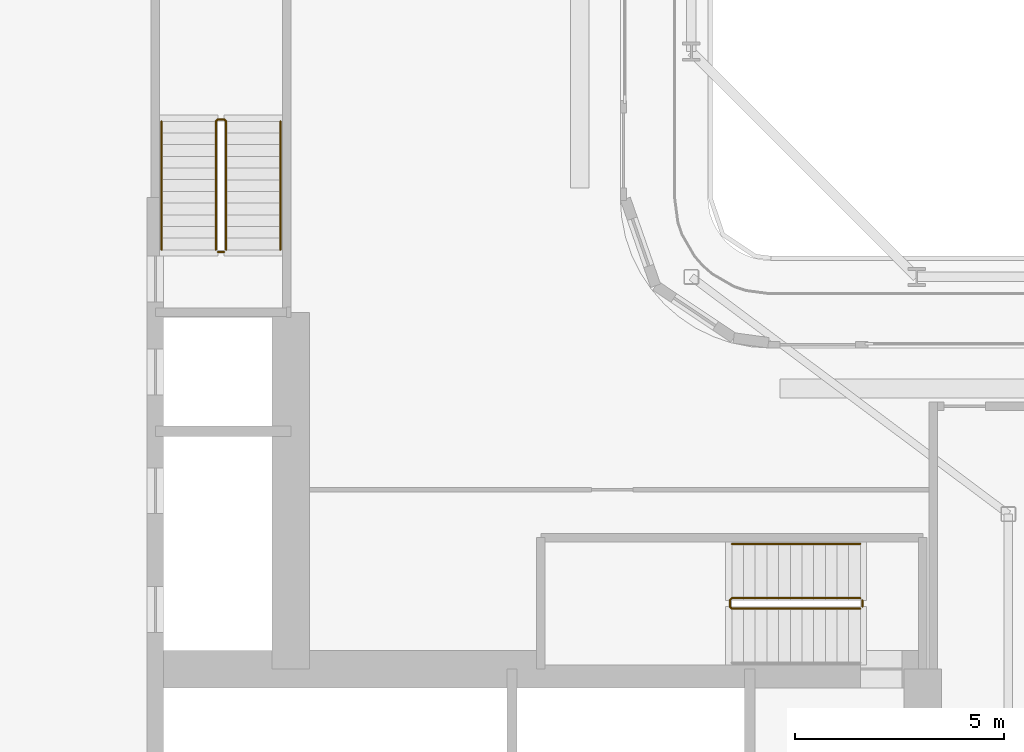
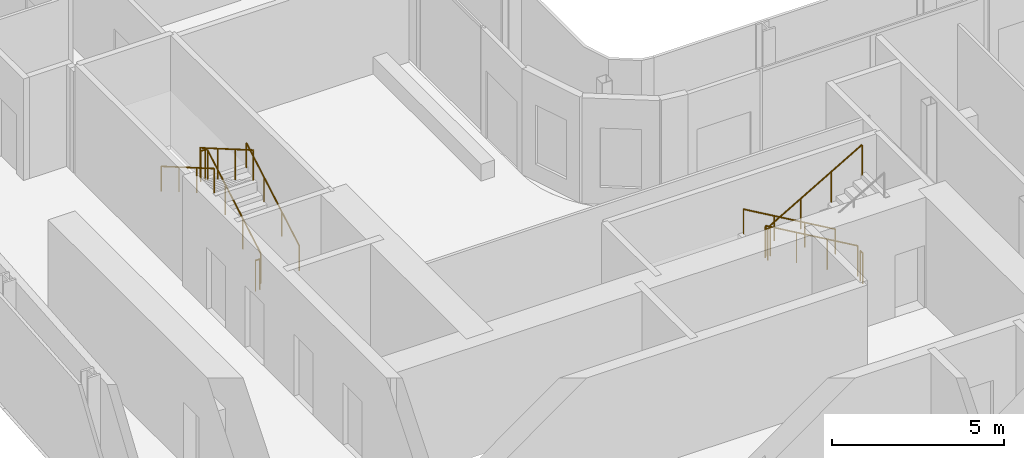
# One storey, part 22 of 27: 7 railings.
"""IFC4 building model written with IfcOpenShell, lengths in metres."""

from ifc_helpers import new_model, si_unit, direction, frame, origin, origin_2d, place, context, subcontext, project, spatial, circle, extrude, material, type_object, element, save


model = new_model("IFC4")

# Units and contexts
model_context = context("Model", 3, precision=1e-05, world=origin(), true_north=direction((0.0, 1.0)))
body_context = subcontext(model_context, "Body", "Model", "MODEL_VIEW")
ifc_project = project(units=[si_unit("LENGTHUNIT", "METRE"), si_unit("AREAUNIT", "SQUARE_METRE"), si_unit("VOLUMEUNIT", "CUBIC_METRE"), si_unit("PLANEANGLEUNIT", "RADIAN"), si_unit("MASSUNIT", "GRAM", prefix="KILO")], contexts=[model_context])

# Site, building, storey
site_placement = place(None, origin())
site = spatial("IfcSite", under=ifc_project, at=site_placement, CompositionType="ELEMENT")
building_placement = place(site_placement, origin())
building = spatial("IfcBuilding", under=site, at=building_placement, Name="Kheshtan School and Residences Tower", CompositionType="ELEMENT")
storey_placement = place(building_placement, frame((0.0, 0.0, 101.89990234375)))
storey = spatial("IfcBuildingStorey", under=building, at=storey_placement, Name="L23", CompositionType="ELEMENT", Elevation=101.89990234375)

# Railings
ifc_material_1 = material(Name="Stainless steel balustrade", Category="steel")
railing_type_1 = type_object("IfcRailingType", Name="Stair guard 1100", PredefinedType="GUARDRAIL", material=ifc_material_1)
railing_1_placement = place(storey_placement, frame((51.64990234375, 37.89990234375, 0.16259765625)))
element("IfcRailing", 1, at=railing_1_placement, inside=storey, type_object=railing_type_1, Name="L23 ST1 stair guard 1", PredefinedType="GUARDRAIL", context=body_context, shape_type="SweptSolid", body=[
    extrude(circle(Radius=0.02392578125, at=origin_2d()), frame((0.0, 0.0, 1.076171875), z_axis=(-0.864873446163, 0.0, 0.501989962173), x_axis=(0.0, -1.0, 0.0)), (0.0, 0.0, 1.0), 3.56103515625),
    extrude(circle(Radius=0.02392578125, at=origin_2d()), frame((-3.079833984375, 0.0, 2.86376953125), z_axis=(-0.708833529934, -0.705375805398, 0.0), x_axis=(0.705375805398, -0.708833529934, 0.0)), (0.0, 0.0, 1.0), 0.070556640625),
    extrude(circle(Radius=0.02392578125, at=origin_2d()), frame((-3.1298828125, -0.0498046875, 2.86376953125), z_axis=(0.0, -1.0, 0.0), x_axis=(1.0, 0.0, 0.0)), (0.0, 0.0, 1.0), 0.150146484375),
    extrude(circle(Radius=0.02392578125, at=origin_2d()), frame((-3.1298828125, -0.199951171875, 2.86376953125), z_axis=(0.282583949758, -0.282583949758, 0.916674763849), x_axis=(0.707106781187, 0.707106781187, 0.0)), (0.0, 0.0, 1.0), 0.177001953125),
    extrude(circle(Radius=0.02392578125, at=origin_2d()), frame((-3.079833984375, -0.25, 3.02587890625), z_axis=(0.864873446163, 0.0, 0.501989962173), x_axis=(0.0, 1.0, 0.0)), (0.0, 0.0, 1.0), 3.56103515625),
    extrude(circle(Radius=0.02099609375, at=origin_2d()), origin(), (0.0, 0.0, 1.0), 1.052001953125),
    extrude(circle(Radius=0.02099609375, at=origin_2d()), frame((-1.026611328125, 0.0, 0.595947265625)), (0.0, 0.0, 1.0), 1.052001953125),
    extrude(circle(Radius=0.02099609375, at=origin_2d()), frame((-2.05322265625, 0.0, 1.191650390625)), (0.0, 0.0, 1.0), 1.052001953125),
    extrude(circle(Radius=0.02099609375, at=origin_2d()), frame((-3.079833984375, 0.0, 1.78759765625)), (0.0, 0.0, 1.0), 1.052001953125),
    extrude(circle(Radius=0.02099609375, at=origin_2d()), frame((-3.1298828125, -0.0498046875, 1.78759765625)), (0.0, 0.0, 1.0), 1.052001953125),
    extrude(circle(Radius=0.02099609375, at=origin_2d()), frame((-3.1298828125, -0.199951171875, 1.78759765625)), (0.0, 0.0, 1.0), 1.052001953125),
    extrude(circle(Radius=0.02099609375, at=origin_2d()), frame((-3.079833984375, -0.25, 1.949951171875)), (0.0, 0.0, 1.0), 1.052001953125),
    extrude(circle(Radius=0.02099609375, at=origin_2d()), frame((-2.05322265625, -0.25, 2.5458984375)), (0.0, 0.0, 1.0), 1.052001953125),
    extrude(circle(Radius=0.02099609375, at=origin_2d()), frame((-1.026611328125, -0.25, 3.1416015625)), (0.0, 0.0, 1.0), 1.052001953125),
    extrude(circle(Radius=0.02099609375, at=origin_2d()), frame((0.0, -0.25, 3.737548828125)), (0.0, 0.0, 1.0), 1.052001953125),
])
railing_2_placement = place(storey_placement, frame((51.699951171875, 37.85009765625, 0.0)))
element("IfcRailing", 2, at=railing_2_placement, inside=storey, type_object=railing_type_1, Name="L23 ST1 stair guard 2", PredefinedType="GUARDRAIL", context=body_context, shape_type="SweptSolid", body=[
    extrude(circle(Radius=0.02392578125, at=origin_2d()), frame((0.0, 0.0, 1.076171875), z_axis=(0.0, -1.0, 0.0), x_axis=(1.0, 0.0, 0.0)), (0.0, 0.0, 1.0), 0.150146484375),
    extrude(circle(Radius=0.02099609375, at=origin_2d()), origin(), (0.0, 0.0, 1.0), 1.052001953125),
    extrude(circle(Radius=0.02099609375, at=origin_2d()), frame((0.0, -0.150146484375, 0.0)), (0.0, 0.0, 1.0), 1.052001953125),
])
railing_3_placement = place(storey_placement, frame((36.449951171875, 46.25, 0.16259765625)))
element("IfcRailing", 3, at=railing_3_placement, inside=storey, type_object=railing_type_1, Name="L23 ST2 stair guard 1", PredefinedType="GUARDRAIL", context=body_context, shape_type="SweptSolid", body=[
    extrude(circle(Radius=0.02392578125, at=origin_2d()), frame((0.0, 0.0, 1.076171875), z_axis=(0.0, 0.864890721111, 0.501960198159), x_axis=(-1.0, 0.0, 0.0)), (0.0, 0.0, 1.0), 3.561279296875),
    extrude(circle(Radius=0.02392578125, at=origin_2d()), frame((0.0, 3.080078125, 2.86376953125), z_axis=(-0.708833529934, 0.705375805398, 0.0), x_axis=(-0.705375805398, -0.708833529934, 0.0)), (0.0, 0.0, 1.0), 0.070556640625),
    extrude(circle(Radius=0.02392578125, at=origin_2d()), frame((-0.050048828125, 3.1298828125, 2.86376953125), z_axis=(-1.0, 0.0, 0.0), x_axis=(0.0, -1.0, 0.0)), (0.0, 0.0, 1.0), 0.14990234375),
    extrude(circle(Radius=0.02392578125, at=origin_2d()), frame((-0.199951171875, 3.1298828125, 2.86376953125), z_axis=(-0.282693820306, -0.281314826061, 0.917031173188), x_axis=(0.705375805398, -0.708833529934, 0.0)), (0.0, 0.0, 1.0), 0.177001953125),
    extrude(circle(Radius=0.02392578125, at=origin_2d()), frame((-0.25, 3.080078125, 3.02587890625), z_axis=(0.0, -0.864890721111, 0.501960198159), x_axis=(1.0, 0.0, 0.0)), (0.0, 0.0, 1.0), 3.561279296875),
    extrude(circle(Radius=0.02099609375, at=origin_2d()), origin(), (0.0, 0.0, 1.0), 1.052001953125),
    extrude(circle(Radius=0.02099609375, at=origin_2d()), frame((0.0, 1.026611328125, 0.595947265625)), (0.0, 0.0, 1.0), 1.052001953125),
    extrude(circle(Radius=0.02099609375, at=origin_2d()), frame((0.0, 2.053466796875, 1.191650390625)), (0.0, 0.0, 1.0), 1.052001953125),
    extrude(circle(Radius=0.02099609375, at=origin_2d()), frame((0.0, 3.080078125, 1.78759765625)), (0.0, 0.0, 1.0), 1.052001953125),
    extrude(circle(Radius=0.02099609375, at=origin_2d()), frame((-0.050048828125, 3.1298828125, 1.78759765625)), (0.0, 0.0, 1.0), 1.052001953125),
    extrude(circle(Radius=0.02099609375, at=origin_2d()), frame((-0.199951171875, 3.1298828125, 1.78759765625)), (0.0, 0.0, 1.0), 1.052001953125),
    extrude(circle(Radius=0.02099609375, at=origin_2d()), frame((-0.25, 3.080078125, 1.949951171875)), (0.0, 0.0, 1.0), 1.052001953125),
    extrude(circle(Radius=0.02099609375, at=origin_2d()), frame((-0.25, 2.053466796875, 2.5458984375)), (0.0, 0.0, 1.0), 1.052001953125),
    extrude(circle(Radius=0.02099609375, at=origin_2d()), frame((-0.25, 1.026611328125, 3.1416015625)), (0.0, 0.0, 1.0), 1.052001953125),
    extrude(circle(Radius=0.02099609375, at=origin_2d()), frame((-0.25, 0.0, 3.737548828125)), (0.0, 0.0, 1.0), 1.052001953125),
])
railing_4_placement = place(storey_placement, frame((36.39990234375, 46.199951171875, 0.0)))
element("IfcRailing", 4, at=railing_4_placement, inside=storey, type_object=railing_type_1, Name="L23 ST2 stair guard 2", PredefinedType="GUARDRAIL", context=body_context, shape_type="SweptSolid", body=[
    extrude(circle(Radius=0.02392578125, at=origin_2d()), frame((0.0, 0.0, 1.076171875), z_axis=(-1.0, 0.0, 0.0), x_axis=(0.0, -1.0, 0.0)), (0.0, 0.0, 1.0), 0.14990234375),
    extrude(circle(Radius=0.02099609375, at=origin_2d()), origin(), (0.0, 0.0, 1.0), 1.052001953125),
    extrude(circle(Radius=0.02099609375, at=origin_2d()), frame((-0.14990234375, 0.0, 0.0)), (0.0, 0.0, 1.0), 1.052001953125),
])
ifc_material_2 = material(Name="Stainless steel handrail", Category="steel")
railing_type_2 = type_object("IfcRailingType", Name="Stair handrail 900", PredefinedType="HANDRAIL", material=ifc_material_2)
railing_5_placement = place(storey_placement, frame((51.64990234375, 39.199951171875, 0.16259765625)))
element("IfcRailing", 5, at=railing_5_placement, inside=storey, type_object=railing_type_2, Name="L23 ST1 stair handrail 1", PredefinedType="HANDRAIL", context=body_context, shape_type="SweptSolid", body=[
    extrude(circle(Radius=0.02392578125, at=origin_2d()), frame((0.0, 0.0, 0.8759765625), z_axis=(-0.864873446163, 0.0, 0.501989962173), x_axis=(0.0, -1.0, 0.0)), (0.0, 0.0, 1.0), 3.56103515625),
    extrude(circle(Radius=0.02099609375, at=origin_2d()), origin(), (0.0, 0.0, 1.0), 0.851806640625),
    extrude(circle(Radius=0.02099609375, at=origin_2d()), frame((-1.026611328125, 0.0, 0.595947265625)), (0.0, 0.0, 1.0), 0.851806640625),
    extrude(circle(Radius=0.02099609375, at=origin_2d()), frame((-2.05322265625, 0.0, 1.191650390625)), (0.0, 0.0, 1.0), 0.851806640625),
    extrude(circle(Radius=0.02099609375, at=origin_2d()), frame((-3.079833984375, 0.0, 1.78759765625)), (0.0, 0.0, 1.0), 0.851806640625),
])
railing_6_placement = place(storey_placement, frame((37.75, 46.25, 0.16259765625)))
element("IfcRailing", 6, at=railing_6_placement, inside=storey, type_object=railing_type_2, Name="L23 ST2 stair handrail 1", PredefinedType="HANDRAIL", context=body_context, shape_type="SweptSolid", body=[
    extrude(circle(Radius=0.02392578125, at=origin_2d()), frame((0.0, 0.0, 0.8759765625), z_axis=(0.0, 0.864890721111, 0.501960198159), x_axis=(-1.0, 0.0, 0.0)), (0.0, 0.0, 1.0), 3.561279296875),
    extrude(circle(Radius=0.02099609375, at=origin_2d()), origin(), (0.0, 0.0, 1.0), 0.851806640625),
    extrude(circle(Radius=0.02099609375, at=origin_2d()), frame((0.0, 1.026611328125, 0.595947265625)), (0.0, 0.0, 1.0), 0.851806640625),
    extrude(circle(Radius=0.02099609375, at=origin_2d()), frame((0.0, 2.053466796875, 1.191650390625)), (0.0, 0.0, 1.0), 0.851806640625),
    extrude(circle(Radius=0.02099609375, at=origin_2d()), frame((0.0, 3.080078125, 1.78759765625)), (0.0, 0.0, 1.0), 0.851806640625),
])
railing_7_placement = place(storey_placement, frame((34.89990234375, 49.330078125, 2.112548828125)))
element("IfcRailing", 7, at=railing_7_placement, inside=storey, type_object=railing_type_2, Name="L23 ST2 stair handrail 2", PredefinedType="HANDRAIL", context=body_context, shape_type="SweptSolid", body=[
    extrude(circle(Radius=0.02392578125, at=origin_2d()), frame((0.0, 0.0, 0.8759765625), z_axis=(0.0, -0.864890721111, 0.501960198159), x_axis=(1.0, 0.0, 0.0)), (0.0, 0.0, 1.0), 3.561279296875),
    extrude(circle(Radius=0.02099609375, at=origin_2d()), origin(), (0.0, 0.0, 1.0), 0.851806640625),
    extrude(circle(Radius=0.02099609375, at=origin_2d()), frame((0.0, -1.026611328125, 0.595947265625)), (0.0, 0.0, 1.0), 0.851806640625),
    extrude(circle(Radius=0.02099609375, at=origin_2d()), frame((0.0, -2.053466796875, 1.191650390625)), (0.0, 0.0, 1.0), 0.851806640625),
    extrude(circle(Radius=0.02099609375, at=origin_2d()), frame((0.0, -3.080078125, 1.78759765625)), (0.0, 0.0, 1.0), 0.851806640625),
])

save(model, "model.ifc")
